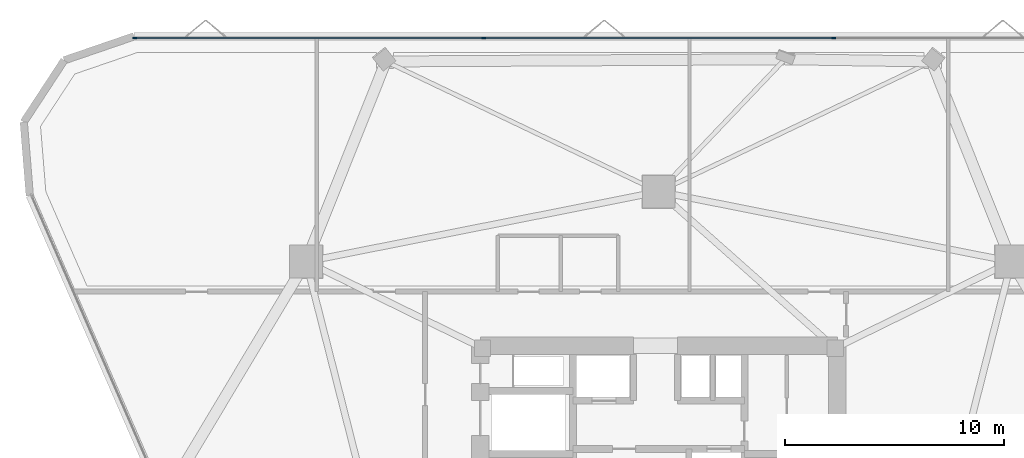
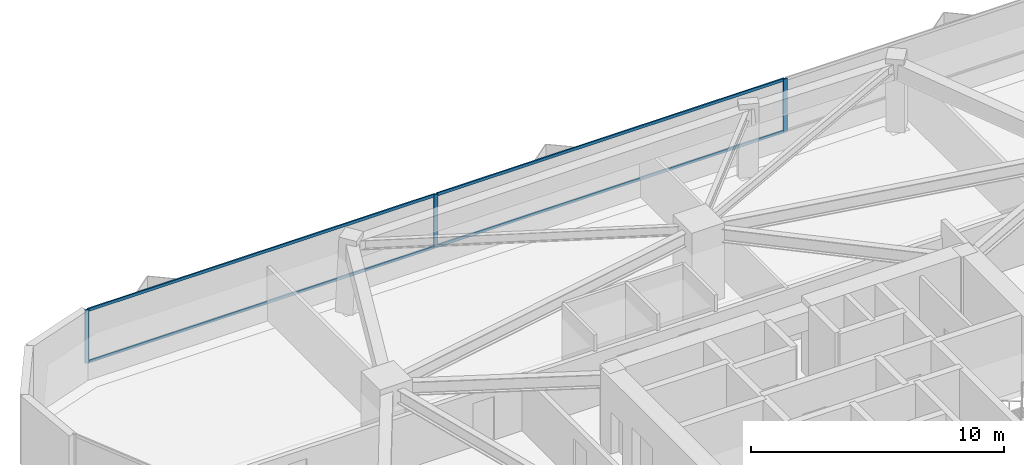
# One storey, part 8 of 16: 7 members, 1 element without a shape of its own.
"""IFC4 building model written with IfcOpenShell, lengths in metres."""

import ifcopenshell
import ifcopenshell.guid

model = None  # the IFC model being written
_history = None  # IfcOwnerHistory: only IFC2X3 demands one
_inside = {}  # id of a spatial element -> (the spatial element, [elements in it])
_under = {}  # id of a project, library or spatial element -> (it, [spatial elements below it])
_declared = {}  # id of a project -> (the project, [libraries it declares])
_typed = {}  # id of a type object -> (the type object, [elements of that type])
_made_of = {}  # id of a material, layer set ... -> (it, [elements and type objects made of it])


def new_model(schema):
    """Start an empty IFC model of exactly this schema.

    Asked for "IFC4X3", IfcOpenShell would pick the latest addendum, in which some entities
    have other attributes; the version numbers below select the first issue.
    IFC2X3 requires an IfcOwnerHistory on every rooted entity: one is made here for all.
    """
    global model, _history
    if schema == "IFC4X3":
        model = ifcopenshell.file(schema_version=(4, 3, 0, 0))
    else:
        model = ifcopenshell.file(schema=schema)
    _inside.clear()
    _under.clear()
    _declared.clear()
    _typed.clear()
    _made_of.clear()
    _history = None
    if model.schema == "IFC2X3":
        org = make("IfcOrganization", Name="unknown")
        user = make(
            "IfcPersonAndOrganization",
            ThePerson=make("IfcPerson", FamilyName="unknown"),
            TheOrganization=org,
        )
        app = make(
            "IfcApplication",
            ApplicationDeveloper=org,
            Version="unknown",
            ApplicationFullName="unknown",
            ApplicationIdentifier="unknown",
        )
        _history = make(
            "IfcOwnerHistory",
            OwningUser=user,
            OwningApplication=app,
            ChangeAction="ADDED",
            CreationDate=0,
        )
    return model


def make(cls, **values):
    """One entity of the class cls with the attributes given. An attribute that is None is left unset."""
    return model.create_entity(
        cls, **{name: value for name, value in values.items() if value is not None}
    )


def rooted(cls, **values):
    """An entity with a GlobalId (a new one), such as an element, a storey or a relation."""
    return make(cls, GlobalId=ifcopenshell.guid.new(), OwnerHistory=_history, **values)


def si_unit(unit_type, name, prefix=None):
    """IfcSIUnit, for example si_unit("LENGTHUNIT", "METRE", prefix="MILLI")."""
    return make("IfcSIUnit", UnitType=unit_type, Prefix=prefix, Name=name)


def assignment(units):
    """IfcUnitAssignment: the units of a project."""
    return None if units is None else make("IfcUnitAssignment", Units=units)


def point(xyz):
    """IfcCartesianPoint."""
    return None if xyz is None else make("IfcCartesianPoint", Coordinates=xyz)


def direction(xyz):
    """IfcDirection."""
    return None if xyz is None else make("IfcDirection", DirectionRatios=xyz)


def frame(location, z_axis=None, x_axis=None):
    """IfcAxis2Placement3D, a coordinate frame: its origin and axes. An axis left out is left unset."""
    return make(
        "IfcAxis2Placement3D",
        Location=point(location),
        Axis=direction(z_axis),
        RefDirection=direction(x_axis),
    )


def frame_2d(location, x_axis=None):
    """IfcAxis2Placement2D, a coordinate frame in the plane: its origin and x axis."""
    return make(
        "IfcAxis2Placement2D", Location=point(location), RefDirection=direction(x_axis)
    )


def origin():
    """The frame at (0, 0, 0) with its axes left unset."""
    return frame((0.0, 0.0, 0.0))


def origin_2d():
    """The frame at (0, 0) in the plane with its x axis left unset."""
    return frame_2d((0.0, 0.0))


def place(relative_to, where):
    """IfcLocalPlacement: puts the frame where relative to a parent placement (None: the world)."""
    return make(
        "IfcLocalPlacement", PlacementRelTo=relative_to, RelativePlacement=where
    )


def context(
    kind, dimensions, precision=None, world=None, true_north=None, identifier=None
):
    """IfcGeometricRepresentationContext, for example the 3D "Model" context."""
    return make(
        "IfcGeometricRepresentationContext",
        ContextIdentifier=identifier,
        ContextType=kind,
        CoordinateSpaceDimension=dimensions,
        Precision=precision,
        WorldCoordinateSystem=world,
        TrueNorth=true_north,
    )


def subcontext(parent, identifier, kind, view, scale=None):
    """IfcGeometricRepresentationSubContext, for example "Body" below "Model"."""
    return make(
        "IfcGeometricRepresentationSubContext",
        ContextIdentifier=identifier,
        ContextType=kind,
        ParentContext=parent,
        TargetScale=scale,
        TargetView=view,
    )


def project(units=None, contexts=None):
    """IfcProject with its units and contexts."""
    return rooted(
        "IfcProject",
        Name="project",
        RepresentationContexts=contexts,
        UnitsInContext=assignment(units),
    )


def spatial(cls, under=None, at=None, **own):
    """A site, building, storey or space (cls), placed at a placement, below another one or the project."""
    s = rooted(cls, ObjectPlacement=at, **own)
    if under is not None:
        _under.setdefault(under.id(), (under, []))[1].append(s)
    return s


def profile(cls, at=None, kind="AREA", **sizes):
    """A parametric profile (cls). Its sizes go by their IFC names, for example OverallWidth=200.0."""
    return make(cls, ProfileType=kind, Position=at, **sizes)


def rectangle(**sizes):
    """IfcRectangleProfileDef."""
    return profile("IfcRectangleProfileDef", **sizes)


def extrude(swept, where, along, depth):
    """IfcExtrudedAreaSolid: the profile swept, set in the frame where, extruded along a direction by depth."""
    return make(
        "IfcExtrudedAreaSolid",
        SweptArea=swept,
        Position=where,
        ExtrudedDirection=direction(along),
        Depth=depth,
    )


def shape(context_of_items, identifier, shape_type, items):
    """IfcShapeRepresentation: the items that make up one representation, for example the "Body"."""
    return make(
        "IfcShapeRepresentation",
        ContextOfItems=context_of_items,
        RepresentationIdentifier=identifier,
        RepresentationType=shape_type,
        Items=items,
    )


def material(Name=None, Category=None):
    """IfcMaterial."""
    return make("IfcMaterial", Name=Name, Category=Category)


def layer(
    of_material, thickness, ventilated=None, Name=None, Category=None, Priority=None
):
    """IfcMaterialLayer: one layer of a wall or slab, of a material (None: an air gap)."""
    return make(
        "IfcMaterialLayer",
        Material=of_material,
        LayerThickness=thickness,
        IsVentilated=ventilated,
        Name=Name,
        Category=Category,
        Priority=Priority,
    )


def layer_set(layers, Name=None):
    """IfcMaterialLayerSet."""
    return make("IfcMaterialLayerSet", MaterialLayers=layers, LayerSetName=Name)


def material_profile(
    of_material, cross_section, Name=None, Category=None, Priority=None
):
    """IfcMaterialProfile: a cross section and its material."""
    return make(
        "IfcMaterialProfile",
        Name=Name,
        Material=of_material,
        Profile=cross_section,
        Priority=Priority,
        Category=Category,
    )


def profile_set(profiles, Name=None, composite=None):
    """IfcMaterialProfileSet."""
    return make(
        "IfcMaterialProfileSet",
        Name=Name,
        MaterialProfiles=profiles,
        CompositeProfile=composite,
    )


def made_of(thing, what):
    """Note that an element or type object is made of a material, layer set ...; save() writes the relation."""
    if what is not None:
        _made_of.setdefault(what.id(), (what, []))[1].append(thing)
    return thing


def type_object(cls, material=None, **own):
    """A type object (cls), such as IfcWallType, which elements share."""
    return made_of(rooted(cls, **own), material)


def element(
    cls,
    number,
    at=None,
    inside=None,
    cuts=None,
    type_object=None,
    material=None,
    context=None,
    identifier="Body",
    shape_type=None,
    held_by="IfcProductDefinitionShape",
    body=None,
    shapes=None,
    **own,
):
    """One element of the class cls, such as IfcWall. Its Tag is "e" and its number.

    at: its placement. inside: the storey or other place that contains it. cuts: it is an
    opening in that element (IfcRelVoidsElement). A single representation is given by context,
    identifier, shape_type and body (its items); several are given by shapes. held_by: the class
    of the entity that holds the representations. save() writes the other relations.
    """
    e = rooted(cls, Tag="e%d" % number, ObjectPlacement=at, **own)
    if body is not None:
        shapes = [shape(context, identifier, shape_type, body)]
    if shapes is not None:
        e.Representation = make(held_by, Representations=shapes)
    if inside is not None:
        _inside.setdefault(inside.id(), (inside, []))[1].append(e)
    if cuts is not None:
        rooted(
            "IfcRelVoidsElement", RelatingBuildingElement=cuts, RelatedOpeningElement=e
        )
    if type_object is not None:
        _typed.setdefault(type_object.id(), (type_object, []))[1].append(e)
    return made_of(e, material)


def aggregate(whole, parts):
    """IfcRelAggregates: a whole, such as a stair, and the parts it consists of."""
    return rooted("IfcRelAggregates", RelatingObject=whole, RelatedObjects=parts)


def save(model, path):
    """Write the relations noted so far, then the file.

    IfcRelAggregates (storeys below a building ...), IfcRelContainedInSpatialStructure (elements
    in a storey), IfcRelDefinesByType, IfcRelAssociatesMaterial and IfcRelDeclares: one each for
    every whole, place, type object, material and project.
    """
    for whole, parts in _under.values():
        aggregate(whole, parts)
    for where, things in _inside.values():
        rooted(
            "IfcRelContainedInSpatialStructure",
            RelatedElements=things,
            RelatingStructure=where,
        )
    for kind, things in _typed.values():
        rooted("IfcRelDefinesByType", RelatedObjects=things, RelatingType=kind)
    for what, things in _made_of.values():
        rooted("IfcRelAssociatesMaterial", RelatedObjects=things, RelatingMaterial=what)
    for by, libraries in _declared.values():
        rooted("IfcRelDeclares", RelatingContext=by, RelatedDefinitions=libraries)
    model.write(path)


model = new_model("IFC4")

# Units and contexts
model_context = context("Model", 3, precision=1e-05, world=origin(), true_north=direction((0.0, 1.0)))
body_context = subcontext(model_context, "Body", "Model", "MODEL_VIEW")
ifc_project = project(units=[si_unit("LENGTHUNIT", "METRE"), si_unit("AREAUNIT", "SQUARE_METRE"), si_unit("VOLUMEUNIT", "CUBIC_METRE"), si_unit("PLANEANGLEUNIT", "RADIAN"), si_unit("MASSUNIT", "GRAM", prefix="KILO")], contexts=[model_context])

# Site, building, storey
site_placement = place(None, origin())
site = spatial("IfcSite", under=ifc_project, at=site_placement, CompositionType="ELEMENT")
building_placement = place(site_placement, origin())
building = spatial("IfcBuilding", under=site, at=building_placement, Name="Talyreon Biosciences Tower", CompositionType="ELEMENT")
storey_placement = place(building_placement, frame((0.0, 0.0, 134.5)))
storey = spatial("IfcBuildingStorey", under=building, at=storey_placement, Name="L35", CompositionType="ELEMENT", Elevation=134.5)

# Curtain wall, members
ifc_material_1 = material(Name="Thermally broken aluminium and low-E glazing", Category="aluminium")
ifc_layer = layer(ifc_material_1, 0.18505859375)
ifc_layer_set = layer_set([ifc_layer], Name="Thermally broken aluminium and low-E glazing")
curtain_wall_type = type_object("IfcCurtainWallType", Name="CurtainWall_Zone3Bioprocess", PredefinedType="NOTDEFINED", material=ifc_layer_set)
curtain_wall_placement = place(storey_placement, origin())
curtain_wall = element("IfcCurtainWall", 1, at=curtain_wall_placement, inside=storey, type_object=curtain_wall_type, Name="L35 Unitised Curtain Wall FCW-L35-04", PredefinedType="NOTDEFINED")
ifc_material_2 = material(Name="Anodised thermally broken aluminium", Category="aluminium")
ifc_material_profile_1 = material_profile(ifc_material_2, rectangle(XDim=0.06494140625, YDim=0.179931640625, at=origin_2d()), Name="ALUM MULLION 65x180")
ifc_profile_set_1 = profile_set([ifc_material_profile_1], Name="Anodised thermally broken aluminium")
member_type_1 = type_object("IfcMemberType", Name="CWMullion_65x180", PredefinedType="MULLION", material=ifc_profile_set_1)
member_1_placement = place(storey_placement, frame((42.07470703125, 88.80615234375, 0.81005859375), z_axis=(0.0, 0.0, 1.0), x_axis=(0.0, 1.0, 0.0)))
member_1 = element("IfcMember", 2, at=member_1_placement, type_object=member_type_1, Name="CW4 mullion 1", PredefinedType="MULLION", context=body_context, shape_type="SweptSolid", body=[
    extrude(rectangle(XDim=0.06494140625, YDim=0.179931640625, at=origin_2d()), origin(), (0.0, 0.0, 1.0), 2.56494140625),
])
member_2_placement = place(storey_placement, frame((58.01416015625, 88.80615234375, 0.81005859375), z_axis=(0.0, 0.0, 1.0), x_axis=(0.0, 1.0, 0.0)))
member_2 = element("IfcMember", 3, at=member_2_placement, type_object=member_type_1, Name="CW4 mullion 2", PredefinedType="MULLION", context=body_context, shape_type="SweptSolid", body=[
    extrude(rectangle(XDim=0.06494140625, YDim=0.179931640625, at=origin_2d()), origin(), (0.0, 0.0, 1.0), 2.56494140625),
])
member_3_placement = place(storey_placement, frame((73.98583984375, 88.80615234375, 0.81005859375), z_axis=(0.0, 0.0, 1.0), x_axis=(0.0, 1.0, 0.0)))
member_3 = element("IfcMember", 4, at=member_3_placement, type_object=member_type_1, Name="CW4 mullion 3", PredefinedType="MULLION", context=body_context, shape_type="SweptSolid", body=[
    extrude(rectangle(XDim=0.06494140625, YDim=0.179931640625, at=origin_2d()), origin(), (0.0, 0.0, 1.0), 2.56494140625),
])
ifc_material_profile_2 = material_profile(ifc_material_2, rectangle(XDim=0.06494140625, YDim=0.139892578125, at=origin_2d()), Name="ALUM TRANSOM 65x140")
ifc_profile_set_2 = profile_set([ifc_material_profile_2], Name="Anodised thermally broken aluminium")
member_type_2 = type_object("IfcMemberType", Name="CWTransom_65x140", PredefinedType="USERDEFINED", material=ifc_profile_set_2)
member_4_placement = place(storey_placement, frame((42.107421875, 88.80615234375, 0.842529296875), z_axis=(1.0, 0.0, 0.0), x_axis=(0.0, 1.0, 0.0)))
member_4 = element("IfcMember", 5, at=member_4_placement, type_object=member_type_2, Name="CW4 transom 1.1", ObjectType="TRANSOM", PredefinedType="USERDEFINED", context=body_context, shape_type="SweptSolid", body=[
    extrude(rectangle(XDim=0.06494140625, YDim=0.139892578125, at=origin_2d()), origin(), (0.0, 0.0, 1.0), 15.874267578125),
])
member_5_placement = place(storey_placement, frame((42.107421875, 88.80615234375, 3.342529296875), z_axis=(1.0, 0.0, 0.0), x_axis=(0.0, 1.0, 0.0)))
member_5 = element("IfcMember", 6, at=member_5_placement, type_object=member_type_2, Name="CW4 transom 1.2", ObjectType="TRANSOM", PredefinedType="USERDEFINED", context=body_context, shape_type="SweptSolid", body=[
    extrude(rectangle(XDim=0.06494140625, YDim=0.139892578125, at=origin_2d()), origin(), (0.0, 0.0, 1.0), 15.874267578125),
])
member_6_placement = place(storey_placement, frame((58.046630859375, 88.80615234375, 0.842529296875), z_axis=(1.0, 0.0, 0.0), x_axis=(0.0, 1.0, 0.0)))
member_6 = element("IfcMember", 7, at=member_6_placement, type_object=member_type_2, Name="CW4 transom 2.1", ObjectType="TRANSOM", PredefinedType="USERDEFINED", context=body_context, shape_type="SweptSolid", body=[
    extrude(rectangle(XDim=0.06494140625, YDim=0.139892578125, at=origin_2d()), origin(), (0.0, 0.0, 1.0), 15.90673828125),
])
member_7_placement = place(storey_placement, frame((58.046630859375, 88.80615234375, 3.342529296875), z_axis=(1.0, 0.0, 0.0), x_axis=(0.0, 1.0, 0.0)))
member_7 = element("IfcMember", 8, at=member_7_placement, type_object=member_type_2, Name="CW4 transom 2.2", ObjectType="TRANSOM", PredefinedType="USERDEFINED", context=body_context, shape_type="SweptSolid", body=[
    extrude(rectangle(XDim=0.06494140625, YDim=0.139892578125, at=origin_2d()), origin(), (0.0, 0.0, 1.0), 15.90673828125),
])
aggregate(curtain_wall, [member_1, member_2, member_3, member_4, member_5, member_6, member_7])

save(model, "model.ifc")
